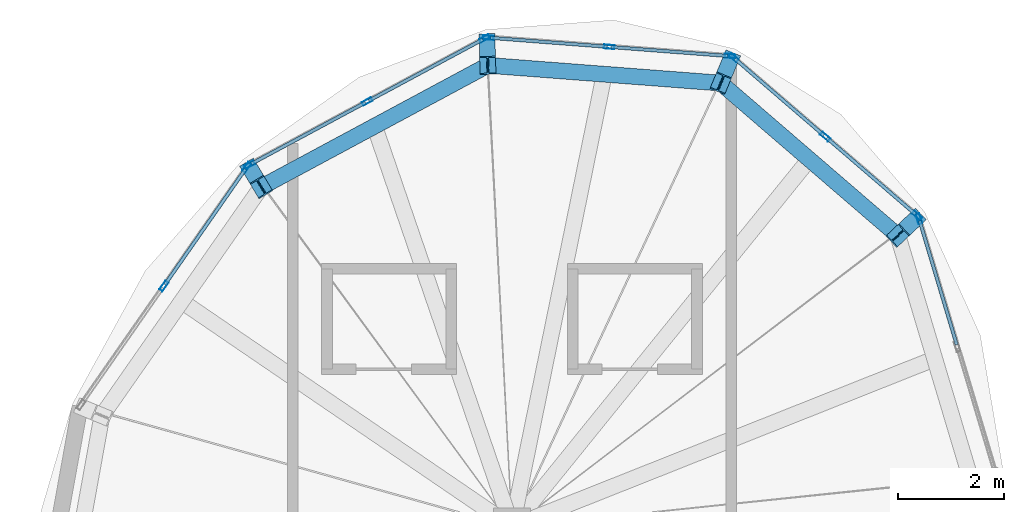
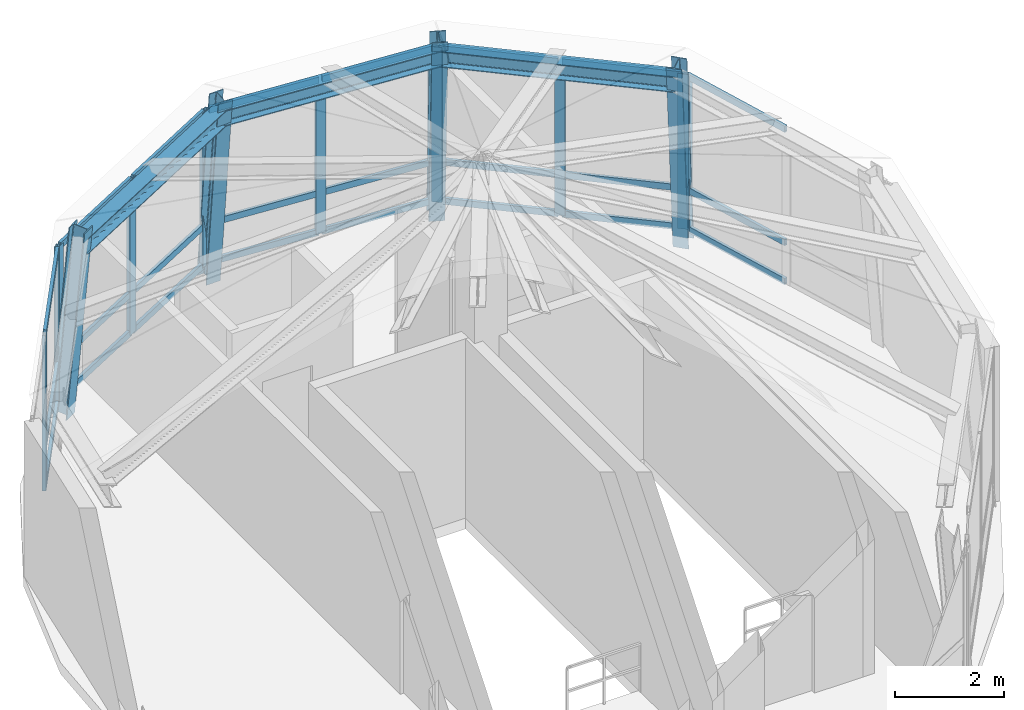
# One storey, part 5 of 8: 40 members, 3 beams, 5 elements without a shape of their own.
"""IFC4 building model written with IfcOpenShell, lengths in metres."""

import ifcopenshell
import ifcopenshell.guid

model = None  # the IFC model being written
_history = None  # IfcOwnerHistory: only IFC2X3 demands one
_inside = {}  # id of a spatial element -> (the spatial element, [elements in it])
_under = {}  # id of a project, library or spatial element -> (it, [spatial elements below it])
_declared = {}  # id of a project -> (the project, [libraries it declares])
_typed = {}  # id of a type object -> (the type object, [elements of that type])
_made_of = {}  # id of a material, layer set ... -> (it, [elements and type objects made of it])


def new_model(schema):
    """Start an empty IFC model of exactly this schema.

    Asked for "IFC4X3", IfcOpenShell would pick the latest addendum, in which some entities
    have other attributes; the version numbers below select the first issue.
    IFC2X3 requires an IfcOwnerHistory on every rooted entity: one is made here for all.
    """
    global model, _history
    if schema == "IFC4X3":
        model = ifcopenshell.file(schema_version=(4, 3, 0, 0))
    else:
        model = ifcopenshell.file(schema=schema)
    _inside.clear()
    _under.clear()
    _declared.clear()
    _typed.clear()
    _made_of.clear()
    _history = None
    if model.schema == "IFC2X3":
        org = make("IfcOrganization", Name="unknown")
        user = make(
            "IfcPersonAndOrganization",
            ThePerson=make("IfcPerson", FamilyName="unknown"),
            TheOrganization=org,
        )
        app = make(
            "IfcApplication",
            ApplicationDeveloper=org,
            Version="unknown",
            ApplicationFullName="unknown",
            ApplicationIdentifier="unknown",
        )
        _history = make(
            "IfcOwnerHistory",
            OwningUser=user,
            OwningApplication=app,
            ChangeAction="ADDED",
            CreationDate=0,
        )
    return model


def make(cls, **values):
    """One entity of the class cls with the attributes given. An attribute that is None is left unset."""
    return model.create_entity(
        cls, **{name: value for name, value in values.items() if value is not None}
    )


def rooted(cls, **values):
    """An entity with a GlobalId (a new one), such as an element, a storey or a relation."""
    return make(cls, GlobalId=ifcopenshell.guid.new(), OwnerHistory=_history, **values)


def si_unit(unit_type, name, prefix=None):
    """IfcSIUnit, for example si_unit("LENGTHUNIT", "METRE", prefix="MILLI")."""
    return make("IfcSIUnit", UnitType=unit_type, Prefix=prefix, Name=name)


def assignment(units):
    """IfcUnitAssignment: the units of a project."""
    return None if units is None else make("IfcUnitAssignment", Units=units)


def point(xyz):
    """IfcCartesianPoint."""
    return None if xyz is None else make("IfcCartesianPoint", Coordinates=xyz)


def direction(xyz):
    """IfcDirection."""
    return None if xyz is None else make("IfcDirection", DirectionRatios=xyz)


def frame(location, z_axis=None, x_axis=None):
    """IfcAxis2Placement3D, a coordinate frame: its origin and axes. An axis left out is left unset."""
    return make(
        "IfcAxis2Placement3D",
        Location=point(location),
        Axis=direction(z_axis),
        RefDirection=direction(x_axis),
    )


def frame_2d(location, x_axis=None):
    """IfcAxis2Placement2D, a coordinate frame in the plane: its origin and x axis."""
    return make(
        "IfcAxis2Placement2D", Location=point(location), RefDirection=direction(x_axis)
    )


def origin():
    """The frame at (0, 0, 0) with its axes left unset."""
    return frame((0.0, 0.0, 0.0))


def origin_2d():
    """The frame at (0, 0) in the plane with its x axis left unset."""
    return frame_2d((0.0, 0.0))


def place(relative_to, where):
    """IfcLocalPlacement: puts the frame where relative to a parent placement (None: the world)."""
    return make(
        "IfcLocalPlacement", PlacementRelTo=relative_to, RelativePlacement=where
    )


def context(
    kind, dimensions, precision=None, world=None, true_north=None, identifier=None
):
    """IfcGeometricRepresentationContext, for example the 3D "Model" context."""
    return make(
        "IfcGeometricRepresentationContext",
        ContextIdentifier=identifier,
        ContextType=kind,
        CoordinateSpaceDimension=dimensions,
        Precision=precision,
        WorldCoordinateSystem=world,
        TrueNorth=true_north,
    )


def subcontext(parent, identifier, kind, view, scale=None):
    """IfcGeometricRepresentationSubContext, for example "Body" below "Model"."""
    return make(
        "IfcGeometricRepresentationSubContext",
        ContextIdentifier=identifier,
        ContextType=kind,
        ParentContext=parent,
        TargetScale=scale,
        TargetView=view,
    )


def project(units=None, contexts=None):
    """IfcProject with its units and contexts."""
    return rooted(
        "IfcProject",
        Name="project",
        RepresentationContexts=contexts,
        UnitsInContext=assignment(units),
    )


def spatial(cls, under=None, at=None, **own):
    """A site, building, storey or space (cls), placed at a placement, below another one or the project."""
    s = rooted(cls, ObjectPlacement=at, **own)
    if under is not None:
        _under.setdefault(under.id(), (under, []))[1].append(s)
    return s


def profile(cls, at=None, kind="AREA", **sizes):
    """A parametric profile (cls). Its sizes go by their IFC names, for example OverallWidth=200.0."""
    return make(cls, ProfileType=kind, Position=at, **sizes)


def hollow_rectangle(**sizes):
    """IfcRectangleHollowProfileDef."""
    return profile("IfcRectangleHollowProfileDef", **sizes)


def i_section(**sizes):
    """IfcIShapeProfileDef."""
    return profile("IfcIShapeProfileDef", **sizes)


def extrude(swept, where, along, depth):
    """IfcExtrudedAreaSolid: the profile swept, set in the frame where, extruded along a direction by depth."""
    return make(
        "IfcExtrudedAreaSolid",
        SweptArea=swept,
        Position=where,
        ExtrudedDirection=direction(along),
        Depth=depth,
    )


def shape(context_of_items, identifier, shape_type, items):
    """IfcShapeRepresentation: the items that make up one representation, for example the "Body"."""
    return make(
        "IfcShapeRepresentation",
        ContextOfItems=context_of_items,
        RepresentationIdentifier=identifier,
        RepresentationType=shape_type,
        Items=items,
    )


def material(Name=None, Category=None):
    """IfcMaterial."""
    return make("IfcMaterial", Name=Name, Category=Category)


def layer(
    of_material, thickness, ventilated=None, Name=None, Category=None, Priority=None
):
    """IfcMaterialLayer: one layer of a wall or slab, of a material (None: an air gap)."""
    return make(
        "IfcMaterialLayer",
        Material=of_material,
        LayerThickness=thickness,
        IsVentilated=ventilated,
        Name=Name,
        Category=Category,
        Priority=Priority,
    )


def layer_set(layers, Name=None):
    """IfcMaterialLayerSet."""
    return make("IfcMaterialLayerSet", MaterialLayers=layers, LayerSetName=Name)


def material_profile(
    of_material, cross_section, Name=None, Category=None, Priority=None
):
    """IfcMaterialProfile: a cross section and its material."""
    return make(
        "IfcMaterialProfile",
        Name=Name,
        Material=of_material,
        Profile=cross_section,
        Priority=Priority,
        Category=Category,
    )


def profile_set(profiles, Name=None, composite=None):
    """IfcMaterialProfileSet."""
    return make(
        "IfcMaterialProfileSet",
        Name=Name,
        MaterialProfiles=profiles,
        CompositeProfile=composite,
    )


def made_of(thing, what):
    """Note that an element or type object is made of a material, layer set ...; save() writes the relation."""
    if what is not None:
        _made_of.setdefault(what.id(), (what, []))[1].append(thing)
    return thing


def type_object(cls, material=None, **own):
    """A type object (cls), such as IfcWallType, which elements share."""
    return made_of(rooted(cls, **own), material)


def element(
    cls,
    number,
    at=None,
    inside=None,
    cuts=None,
    type_object=None,
    material=None,
    context=None,
    identifier="Body",
    shape_type=None,
    held_by="IfcProductDefinitionShape",
    body=None,
    shapes=None,
    **own,
):
    """One element of the class cls, such as IfcWall. Its Tag is "e" and its number.

    at: its placement. inside: the storey or other place that contains it. cuts: it is an
    opening in that element (IfcRelVoidsElement). A single representation is given by context,
    identifier, shape_type and body (its items); several are given by shapes. held_by: the class
    of the entity that holds the representations. save() writes the other relations.
    """
    e = rooted(cls, Tag="e%d" % number, ObjectPlacement=at, **own)
    if body is not None:
        shapes = [shape(context, identifier, shape_type, body)]
    if shapes is not None:
        e.Representation = make(held_by, Representations=shapes)
    if inside is not None:
        _inside.setdefault(inside.id(), (inside, []))[1].append(e)
    if cuts is not None:
        rooted(
            "IfcRelVoidsElement", RelatingBuildingElement=cuts, RelatedOpeningElement=e
        )
    if type_object is not None:
        _typed.setdefault(type_object.id(), (type_object, []))[1].append(e)
    return made_of(e, material)


def aggregate(whole, parts):
    """IfcRelAggregates: a whole, such as a stair, and the parts it consists of."""
    return rooted("IfcRelAggregates", RelatingObject=whole, RelatedObjects=parts)


def save(model, path):
    """Write the relations noted so far, then the file.

    IfcRelAggregates (storeys below a building ...), IfcRelContainedInSpatialStructure (elements
    in a storey), IfcRelDefinesByType, IfcRelAssociatesMaterial and IfcRelDeclares: one each for
    every whole, place, type object, material and project.
    """
    for whole, parts in _under.values():
        aggregate(whole, parts)
    for where, things in _inside.values():
        rooted(
            "IfcRelContainedInSpatialStructure",
            RelatedElements=things,
            RelatingStructure=where,
        )
    for kind, things in _typed.values():
        rooted("IfcRelDefinesByType", RelatedObjects=things, RelatingType=kind)
    for what, things in _made_of.values():
        rooted("IfcRelAssociatesMaterial", RelatedObjects=things, RelatingMaterial=what)
    for by, libraries in _declared.values():
        rooted("IfcRelDeclares", RelatingContext=by, RelatedDefinitions=libraries)
    model.write(path)


model = new_model("IFC4")

# Units and contexts
model_context = context("Model", 3, precision=1e-05, world=origin(), true_north=direction((0.0, 1.0)))
body_context = subcontext(model_context, "Body", "Model", "MODEL_VIEW")
ifc_project = project(units=[si_unit("LENGTHUNIT", "METRE"), si_unit("AREAUNIT", "SQUARE_METRE"), si_unit("VOLUMEUNIT", "CUBIC_METRE"), si_unit("PLANEANGLEUNIT", "RADIAN"), si_unit("MASSUNIT", "GRAM", prefix="KILO"), si_unit("THERMODYNAMICTEMPERATUREUNIT", "KELVIN"), si_unit("POWERUNIT", "WATT")], contexts=[model_context])

# Site, building, storey
site_placement = place(None, origin())
site = spatial("IfcSite", under=ifc_project, at=site_placement, CompositionType="ELEMENT")
building_placement = place(site_placement, origin())
building = spatial("IfcBuilding", under=site, at=building_placement, Name="Ocrelia Relay Tower", CompositionType="ELEMENT")
storey_placement = place(building_placement, frame((0.0, 0.0, 308.0)))
storey = spatial("IfcBuildingStorey", under=building, at=storey_placement, Name="L77", CompositionType="ELEMENT", Elevation=308.0)

# Beams
ifc_material_1 = material(Name="Steel S355", Category="steel")
ifc_material_profile_1 = material_profile(ifc_material_1, i_section(OverallWidth=0.300048828125, OverallDepth=0.35009765625, WebThickness=0.010009765625, FlangeThickness=0.017578125, FilletRadius=0.027099609375, at=origin_2d()), Name="HEA 360")
ifc_profile_set_1 = profile_set([ifc_material_profile_1], Name="Steel S355")
beam_type = type_object("IfcBeamType", Name="BM-HEA360", PredefinedType="SPANDREL", material=ifc_profile_set_1)
beam_1_placement = place(storey_placement, frame((37.949951171875, 35.512451171875, 3.64501953125), z_axis=(-0.997104301591, 0.07604611594, 0.0), x_axis=(-0.07604611594, -0.997104301591, 0.0)))
element("IfcBeam", 1, at=beam_1_placement, inside=storey, type_object=beam_type, Name="L77 Crown Faceted Ring Beam R01", PredefinedType="SPANDREL", context=body_context, shape_type="SweptSolid", body=[
    extrude(i_section(OverallWidth=0.300048828125, OverallDepth=0.35009765625, WebThickness=0.010009765625, FlangeThickness=0.017578125, FilletRadius=0.027099609375, at=origin_2d()), origin(), (0.0, 0.0, 1.0), 4.420654296875),
])
beam_2_placement = place(storey_placement, frame((33.5419921875, 35.8486328125, 3.64501953125), z_axis=(-0.880881680391, -0.47333652421, 0.0), x_axis=(0.47333652421, -0.880881680391, 0.0)))
element("IfcBeam", 2, at=beam_2_placement, inside=storey, type_object=beam_type, Name="L77 Crown Faceted Ring Beam R02", PredefinedType="SPANDREL", context=body_context, shape_type="SweptSolid", body=[
    extrude(i_section(OverallWidth=0.300048828125, OverallDepth=0.35009765625, WebThickness=0.010009765625, FlangeThickness=0.017578125, FilletRadius=0.027099609375, at=origin_2d()), origin(), (0.0, 0.0, 1.0), 4.864990234375),
])
beam_3_placement = place(storey_placement, frame((41.299560546875, 32.62744140625, 3.64501953125), z_axis=(-0.757699013263, 0.652604171992, 0.0), x_axis=(-0.652604171992, -0.757699013263, 0.0)))
element("IfcBeam", 3, at=beam_3_placement, inside=storey, type_object=beam_type, Name="L77 Crown Faceted Ring Beam R12", PredefinedType="SPANDREL", context=body_context, shape_type="SweptSolid", body=[
    extrude(i_section(OverallWidth=0.300048828125, OverallDepth=0.35009765625, WebThickness=0.010009765625, FlangeThickness=0.017578125, FilletRadius=0.027099609375, at=origin_2d()), origin(), (0.0, 0.0, 1.0), 4.420654296875),
])

# Curtain wall, members
ifc_material_2 = material(Name="Aluminium and solar-control low-E glass", Category="aluminium")
ifc_layer = layer(ifc_material_2, 0.179931640625, Name="Aluminium and solar-control low-E glass")
ifc_layer_set = layer_set([ifc_layer], Name="Aluminium and solar-control low-E glass")
curtain_wall_type = type_object("IfcCurtainWallType", Name="CW-SYS-CROWN-PT", PredefinedType="NOTDEFINED", material=ifc_layer_set)
curtain_wall_1_placement = place(storey_placement, origin())
curtain_wall_1 = element("IfcCurtainWall", 4, at=curtain_wall_1_placement, inside=storey, type_object=curtain_wall_type, Name="L77 Faceted Glass-Point Crown Curtain Wall 01", PredefinedType="NOTDEFINED")
ifc_material_3 = material(Name="Anodised bronze aluminium", Category="aluminium")
ifc_material_profile_2 = material_profile(ifc_material_3, hollow_rectangle(XDim=0.074951171875, YDim=0.199951171875, WallThickness=0.006103515625, at=origin_2d()), Name="CW-MUL-200x75")
ifc_profile_set_2 = profile_set([ifc_material_profile_2], Name="Anodised bronze aluminium")
member_type_1 = type_object("IfcMemberType", Name="CW-SYS-CROWN-PT-MUL", PredefinedType="MULLION", material=ifc_profile_set_2)
member_1_placement = place(storey_placement, frame((38.12353515625, 36.0234375, 0.0), z_axis=(0.0, 0.0, 1.0), x_axis=(-0.076089015245, -0.997101028863, 0.0)))
member_1 = element("IfcMember", 5, at=member_1_placement, type_object=member_type_1, Name="CW-CR mullion 1", PredefinedType="MULLION", context=body_context, shape_type="SweptSolid", body=[
    extrude(hollow_rectangle(XDim=0.074951171875, YDim=0.199951171875, WallThickness=0.006103515625, at=origin_2d()), origin(), (0.0, 0.0, 1.0), 3.4599609375),
])
member_2_placement = place(storey_placement, frame((35.8388671875, 36.19775390625, 0.0), z_axis=(0.0, 0.0, 1.0), x_axis=(-0.076089015245, -0.997101028863, 0.0)))
member_2 = element("IfcMember", 6, at=member_2_placement, type_object=member_type_1, Name="CW-CR mullion 2", PredefinedType="MULLION", context=body_context, shape_type="SweptSolid", body=[
    extrude(hollow_rectangle(XDim=0.074951171875, YDim=0.199951171875, WallThickness=0.006103515625, at=origin_2d()), origin(), (0.0, 0.0, 1.0), 3.4599609375),
])
member_3_placement = place(storey_placement, frame((33.55419921875, 36.3720703125, 0.0), z_axis=(0.0, 0.0, 1.0), x_axis=(-0.076089015245, -0.997101028863, 0.0)))
member_3 = element("IfcMember", 7, at=member_3_placement, type_object=member_type_1, Name="CW-CR mullion 3", PredefinedType="MULLION", context=body_context, shape_type="SweptSolid", body=[
    extrude(hollow_rectangle(XDim=0.074951171875, YDim=0.199951171875, WallThickness=0.006103515625, at=origin_2d()), origin(), (0.0, 0.0, 1.0), 3.4599609375),
])

curtain_wall_2_placement = place(storey_placement, origin())
curtain_wall_2 = element("IfcCurtainWall", 8, at=curtain_wall_2_placement, inside=storey, type_object=curtain_wall_type, Name="L77 Faceted Glass-Point Crown Curtain Wall 02", PredefinedType="NOTDEFINED")
member_4_placement = place(storey_placement, frame((33.483642578125, 36.357177734375, 0.0), z_axis=(0.0, 0.0, 1.0), x_axis=(0.473276956147, -0.880913686339, 0.0)))
member_4 = element("IfcMember", 9, at=member_4_placement, type_object=member_type_1, Name="CW-CR mullion 1", PredefinedType="MULLION", context=body_context, shape_type="SweptSolid", body=[
    extrude(hollow_rectangle(XDim=0.074951171875, YDim=0.199951171875, WallThickness=0.006103515625, at=origin_2d()), origin(), (0.0, 0.0, 1.0), 3.4599609375),
])
member_5_placement = place(storey_placement, frame((31.259521484375, 35.162109375, 0.0), z_axis=(0.0, 0.0, 1.0), x_axis=(0.473276956147, -0.880913686339, 0.0)))
member_5 = element("IfcMember", 10, at=member_5_placement, type_object=member_type_1, Name="CW-CR mullion 2", PredefinedType="MULLION", context=body_context, shape_type="SweptSolid", body=[
    extrude(hollow_rectangle(XDim=0.074951171875, YDim=0.199951171875, WallThickness=0.006103515625, at=origin_2d()), origin(), (0.0, 0.0, 1.0), 3.4599609375),
])
member_6_placement = place(storey_placement, frame((29.03515625, 33.967041015625, 0.0), z_axis=(0.0, 0.0, 1.0), x_axis=(0.473276956147, -0.880913686339, 0.0)))
member_6 = element("IfcMember", 11, at=member_6_placement, type_object=member_type_1, Name="CW-CR mullion 3", PredefinedType="MULLION", context=body_context, shape_type="SweptSolid", body=[
    extrude(hollow_rectangle(XDim=0.074951171875, YDim=0.199951171875, WallThickness=0.006103515625, at=origin_2d()), origin(), (0.0, 0.0, 1.0), 3.4599609375),
])

curtain_wall_3_placement = place(storey_placement, origin())
curtain_wall_3 = element("IfcCurtainWall", 12, at=curtain_wall_3_placement, inside=storey, type_object=curtain_wall_type, Name="L77 Faceted Glass-Point Crown Curtain Wall 03", PredefinedType="NOTDEFINED")
member_7_placement = place(storey_placement, frame((28.980712890625, 33.918701171875, 0.0), z_axis=(0.0, 0.0, 1.0), x_axis=(0.820359766899, -0.571847753211, 0.0)))
member_7 = element("IfcMember", 13, at=member_7_placement, type_object=member_type_1, Name="CW-CR mullion 1", PredefinedType="MULLION", context=body_context, shape_type="SweptSolid", body=[
    extrude(hollow_rectangle(XDim=0.074951171875, YDim=0.199951171875, WallThickness=0.006103515625, at=origin_2d()), origin(), (0.0, 0.0, 1.0), 3.4599609375),
])
member_8_placement = place(storey_placement, frame((27.414306640625, 31.671630859375, 0.0), z_axis=(0.0, 0.0, 1.0), x_axis=(0.820359766899, -0.571847753211, 0.0)))
member_8 = element("IfcMember", 14, at=member_8_placement, type_object=member_type_1, Name="CW-CR mullion 2", PredefinedType="MULLION", context=body_context, shape_type="SweptSolid", body=[
    extrude(hollow_rectangle(XDim=0.074951171875, YDim=0.199951171875, WallThickness=0.006103515625, at=origin_2d()), origin(), (0.0, 0.0, 1.0), 3.4599609375),
])

# Curtain wall, member
curtain_wall_4_placement = place(storey_placement, origin())
curtain_wall_4 = element("IfcCurtainWall", 15, at=curtain_wall_4_placement, inside=storey, type_object=curtain_wall_type, Name="L77 Faceted Glass-Point Crown Curtain Wall 11", PredefinedType="NOTDEFINED")
member_9_placement = place(storey_placement, frame((41.700927734375, 32.945068359375, 0.0), z_axis=(0.0, 0.0, 1.0), x_axis=(-0.958056902015, -0.286578039111, 0.0)))
member_9 = element("IfcMember", 16, at=member_9_placement, type_object=member_type_1, Name="CW-CR mullion 3", PredefinedType="MULLION", context=body_context, shape_type="SweptSolid", body=[
    extrude(hollow_rectangle(XDim=0.074951171875, YDim=0.199951171875, WallThickness=0.006103515625, at=origin_2d()), origin(), (0.0, 0.0, 1.0), 3.4599609375),
])

# Curtain wall, members
curtain_wall_5_placement = place(storey_placement, origin())
curtain_wall_5 = element("IfcCurtainWall", 17, at=curtain_wall_5_placement, inside=storey, type_object=curtain_wall_type, Name="L77 Faceted Glass-Point Crown Curtain Wall 12", PredefinedType="NOTDEFINED")
member_10_placement = place(storey_placement, frame((41.66162109375, 33.00537109375, 0.0), z_axis=(0.0, 0.0, 1.0), x_axis=(-0.652580665849, -0.757719258407, 0.0)))
member_10 = element("IfcMember", 18, at=member_10_placement, type_object=member_type_1, Name="CW-CR mullion 1", PredefinedType="MULLION", context=body_context, shape_type="SweptSolid", body=[
    extrude(hollow_rectangle(XDim=0.074951171875, YDim=0.199951171875, WallThickness=0.006103515625, at=origin_2d()), origin(), (0.0, 0.0, 1.0), 3.4599609375),
])
member_11_placement = place(storey_placement, frame((39.925537109375, 34.500732421875, 0.0), z_axis=(0.0, 0.0, 1.0), x_axis=(-0.652580665849, -0.757719258407, 0.0)))
member_11 = element("IfcMember", 19, at=member_11_placement, type_object=member_type_1, Name="CW-CR mullion 2", PredefinedType="MULLION", context=body_context, shape_type="SweptSolid", body=[
    extrude(hollow_rectangle(XDim=0.074951171875, YDim=0.199951171875, WallThickness=0.006103515625, at=origin_2d()), origin(), (0.0, 0.0, 1.0), 3.4599609375),
])
member_12_placement = place(storey_placement, frame((38.189208984375, 35.99609375, 0.0), z_axis=(0.0, 0.0, 1.0), x_axis=(-0.652580665849, -0.757719258407, 0.0)))
member_12 = element("IfcMember", 20, at=member_12_placement, type_object=member_type_1, Name="CW-CR mullion 3", PredefinedType="MULLION", context=body_context, shape_type="SweptSolid", body=[
    extrude(hollow_rectangle(XDim=0.074951171875, YDim=0.199951171875, WallThickness=0.006103515625, at=origin_2d()), origin(), (0.0, 0.0, 1.0), 3.4599609375),
])

# Member
ifc_material_profile_3 = material_profile(ifc_material_3, hollow_rectangle(XDim=0.06494140625, YDim=0.139892578125, WallThickness=0.0048828125, at=origin_2d()), Name="CW-TRN-140x65")
ifc_profile_set_3 = profile_set([ifc_material_profile_3], Name="Anodised bronze aluminium")
member_type_2 = type_object("IfcMemberType", Name="CW-SYS-CROWN-PT-TRN", PredefinedType="USERDEFINED", material=ifc_profile_set_3)
member_13_placement = place(storey_placement, frame((38.086181640625, 36.026123046875, 0.032470703125), z_axis=(-0.99709902499, 0.076115270246, 0.0), x_axis=(-0.076115270246, -0.99709902499, 0.0)))
member_13 = element("IfcMember", 21, at=member_13_placement, type_object=member_type_2, Name="CW-CR transom 1.1", ObjectType="TRANSOM", PredefinedType="USERDEFINED", context=body_context, shape_type="SweptSolid", body=[
    extrude(hollow_rectangle(XDim=0.06494140625, YDim=0.139892578125, WallThickness=0.0048828125, at=origin_2d()), origin(), (0.0, 0.0, 1.0), 2.21630859375),
])

member_14_placement = place(storey_placement, frame((38.086181640625, 36.026123046875, 0.89990234375), z_axis=(-0.99709902499, 0.076115270246, 0.0), x_axis=(-0.076115270246, -0.99709902499, 0.0)))
member_14 = element("IfcMember", 22, at=member_14_placement, type_object=member_type_2, Name="CW-CR transom 1.2", ObjectType="TRANSOM", PredefinedType="USERDEFINED", context=body_context, shape_type="SweptSolid", body=[
    extrude(hollow_rectangle(XDim=0.06494140625, YDim=0.139892578125, WallThickness=0.0048828125, at=origin_2d()), origin(), (0.0, 0.0, 1.0), 2.21630859375),
])

member_15_placement = place(storey_placement, frame((38.086181640625, 36.026123046875, 3.427490234375), z_axis=(-0.99709902499, 0.076115270246, 0.0), x_axis=(-0.076115270246, -0.99709902499, 0.0)))
member_15 = element("IfcMember", 23, at=member_15_placement, type_object=member_type_2, Name="CW-CR transom 1.3", ObjectType="TRANSOM", PredefinedType="USERDEFINED", context=body_context, shape_type="SweptSolid", body=[
    extrude(hollow_rectangle(XDim=0.06494140625, YDim=0.139892578125, WallThickness=0.0048828125, at=origin_2d()), origin(), (0.0, 0.0, 1.0), 2.21630859375),
])

member_16_placement = place(storey_placement, frame((35.801513671875, 36.200439453125, 0.032470703125), z_axis=(-0.99709902499, 0.076115270246, 0.0), x_axis=(-0.076115270246, -0.99709902499, 0.0)))
member_16 = element("IfcMember", 24, at=member_16_placement, type_object=member_type_2, Name="CW-CR transom 2.1", ObjectType="TRANSOM", PredefinedType="USERDEFINED", context=body_context, shape_type="SweptSolid", body=[
    extrude(hollow_rectangle(XDim=0.06494140625, YDim=0.139892578125, WallThickness=0.0048828125, at=origin_2d()), origin(), (0.0, 0.0, 1.0), 2.21630859375),
])

member_17_placement = place(storey_placement, frame((35.801513671875, 36.200439453125, 0.89990234375), z_axis=(-0.99709902499, 0.076115270246, 0.0), x_axis=(-0.076115270246, -0.99709902499, 0.0)))
member_17 = element("IfcMember", 25, at=member_17_placement, type_object=member_type_2, Name="CW-CR transom 2.2", ObjectType="TRANSOM", PredefinedType="USERDEFINED", context=body_context, shape_type="SweptSolid", body=[
    extrude(hollow_rectangle(XDim=0.06494140625, YDim=0.139892578125, WallThickness=0.0048828125, at=origin_2d()), origin(), (0.0, 0.0, 1.0), 2.21630859375),
])

member_18_placement = place(storey_placement, frame((35.801513671875, 36.200439453125, 3.427490234375), z_axis=(-0.99709902499, 0.076115270246, 0.0), x_axis=(-0.076115270246, -0.99709902499, 0.0)))
member_18 = element("IfcMember", 26, at=member_18_placement, type_object=member_type_2, Name="CW-CR transom 2.3", ObjectType="TRANSOM", PredefinedType="USERDEFINED", context=body_context, shape_type="SweptSolid", body=[
    extrude(hollow_rectangle(XDim=0.06494140625, YDim=0.139892578125, WallThickness=0.0048828125, at=origin_2d()), origin(), (0.0, 0.0, 1.0), 2.21630859375),
])

aggregate(curtain_wall_1, [member_1, member_2, member_3, member_13, member_14, member_15, member_16, member_17, member_18])

member_19_placement = place(storey_placement, frame((33.45068359375, 36.33935546875, 0.032470703125), z_axis=(-0.880928268603, -0.473249813076, 0.0), x_axis=(0.473249813076, -0.880928268603, 0.0)))
member_19 = element("IfcMember", 27, at=member_19_placement, type_object=member_type_2, Name="CW-CR transom 1.1", ObjectType="TRANSOM", PredefinedType="USERDEFINED", context=body_context, shape_type="SweptSolid", body=[
    extrude(hollow_rectangle(XDim=0.06494140625, YDim=0.139892578125, WallThickness=0.0048828125, at=origin_2d()), origin(), (0.0, 0.0, 1.0), 2.449951171875),
])

member_20_placement = place(storey_placement, frame((33.45068359375, 36.33935546875, 0.89990234375), z_axis=(-0.880928268603, -0.473249813076, 0.0), x_axis=(0.473249813076, -0.880928268603, 0.0)))
member_20 = element("IfcMember", 28, at=member_20_placement, type_object=member_type_2, Name="CW-CR transom 1.2", ObjectType="TRANSOM", PredefinedType="USERDEFINED", context=body_context, shape_type="SweptSolid", body=[
    extrude(hollow_rectangle(XDim=0.06494140625, YDim=0.139892578125, WallThickness=0.0048828125, at=origin_2d()), origin(), (0.0, 0.0, 1.0), 2.449951171875),
])

member_21_placement = place(storey_placement, frame((33.45068359375, 36.33935546875, 3.427490234375), z_axis=(-0.880928268603, -0.473249813076, 0.0), x_axis=(0.473249813076, -0.880928268603, 0.0)))
member_21 = element("IfcMember", 29, at=member_21_placement, type_object=member_type_2, Name="CW-CR transom 1.3", ObjectType="TRANSOM", PredefinedType="USERDEFINED", context=body_context, shape_type="SweptSolid", body=[
    extrude(hollow_rectangle(XDim=0.06494140625, YDim=0.139892578125, WallThickness=0.0048828125, at=origin_2d()), origin(), (0.0, 0.0, 1.0), 2.449951171875),
])

member_22_placement = place(storey_placement, frame((31.226318359375, 35.144287109375, 0.032470703125), z_axis=(-0.880928268603, -0.473249813076, 0.0), x_axis=(0.473249813076, -0.880928268603, 0.0)))
member_22 = element("IfcMember", 30, at=member_22_placement, type_object=member_type_2, Name="CW-CR transom 2.1", ObjectType="TRANSOM", PredefinedType="USERDEFINED", context=body_context, shape_type="SweptSolid", body=[
    extrude(hollow_rectangle(XDim=0.06494140625, YDim=0.139892578125, WallThickness=0.0048828125, at=origin_2d()), origin(), (0.0, 0.0, 1.0), 2.449951171875),
])

member_23_placement = place(storey_placement, frame((31.226318359375, 35.144287109375, 0.89990234375), z_axis=(-0.880928268603, -0.473249813076, 0.0), x_axis=(0.473249813076, -0.880928268603, 0.0)))
member_23 = element("IfcMember", 31, at=member_23_placement, type_object=member_type_2, Name="CW-CR transom 2.2", ObjectType="TRANSOM", PredefinedType="USERDEFINED", context=body_context, shape_type="SweptSolid", body=[
    extrude(hollow_rectangle(XDim=0.06494140625, YDim=0.139892578125, WallThickness=0.0048828125, at=origin_2d()), origin(), (0.0, 0.0, 1.0), 2.449951171875),
])

member_24_placement = place(storey_placement, frame((31.226318359375, 35.144287109375, 3.427490234375), z_axis=(-0.880928268603, -0.473249813076, 0.0), x_axis=(0.473249813076, -0.880928268603, 0.0)))
member_24 = element("IfcMember", 32, at=member_24_placement, type_object=member_type_2, Name="CW-CR transom 2.3", ObjectType="TRANSOM", PredefinedType="USERDEFINED", context=body_context, shape_type="SweptSolid", body=[
    extrude(hollow_rectangle(XDim=0.06494140625, YDim=0.139892578125, WallThickness=0.0048828125, at=origin_2d()), origin(), (0.0, 0.0, 1.0), 2.449951171875),
])

aggregate(curtain_wall_2, [member_4, member_5, member_6, member_19, member_20, member_21, member_22, member_23, member_24])

member_25_placement = place(storey_placement, frame((28.959228515625, 33.887939453125, 0.032470703125), z_axis=(-0.571837518298, -0.82036690125, 0.0), x_axis=(0.82036690125, -0.571837518298, 0.0)))
member_25 = element("IfcMember", 33, at=member_25_placement, type_object=member_type_2, Name="CW-CR transom 1.1", ObjectType="TRANSOM", PredefinedType="USERDEFINED", context=body_context, shape_type="SweptSolid", body=[
    extrude(hollow_rectangle(XDim=0.06494140625, YDim=0.139892578125, WallThickness=0.0048828125, at=origin_2d()), origin(), (0.0, 0.0, 1.0), 2.6640625),
])

member_26_placement = place(storey_placement, frame((28.959228515625, 33.887939453125, 0.89990234375), z_axis=(-0.571837518298, -0.82036690125, 0.0), x_axis=(0.82036690125, -0.571837518298, 0.0)))
member_26 = element("IfcMember", 34, at=member_26_placement, type_object=member_type_2, Name="CW-CR transom 1.2", ObjectType="TRANSOM", PredefinedType="USERDEFINED", context=body_context, shape_type="SweptSolid", body=[
    extrude(hollow_rectangle(XDim=0.06494140625, YDim=0.139892578125, WallThickness=0.0048828125, at=origin_2d()), origin(), (0.0, 0.0, 1.0), 2.6640625),
])

member_27_placement = place(storey_placement, frame((28.959228515625, 33.887939453125, 3.427490234375), z_axis=(-0.571837518298, -0.82036690125, 0.0), x_axis=(0.82036690125, -0.571837518298, 0.0)))
member_27 = element("IfcMember", 35, at=member_27_placement, type_object=member_type_2, Name="CW-CR transom 1.3", ObjectType="TRANSOM", PredefinedType="USERDEFINED", context=body_context, shape_type="SweptSolid", body=[
    extrude(hollow_rectangle(XDim=0.06494140625, YDim=0.139892578125, WallThickness=0.0048828125, at=origin_2d()), origin(), (0.0, 0.0, 1.0), 2.6640625),
])

aggregate(curtain_wall_3, [member_7, member_8, member_25, member_26, member_27])

member_28_placement = place(storey_placement, frame((42.413818359375, 30.56201171875, 0.032470703125), z_axis=(-0.286598124644, 0.958050893716, 0.0), x_axis=(-0.958050893716, -0.286598124644, 0.0)))
member_28 = element("IfcMember", 36, at=member_28_placement, type_object=member_type_2, Name="CW-CR transom 2.1", ObjectType="TRANSOM", PredefinedType="USERDEFINED", context=body_context, shape_type="SweptSolid", body=[
    extrude(hollow_rectangle(XDim=0.06494140625, YDim=0.139892578125, WallThickness=0.0048828125, at=origin_2d()), origin(), (0.0, 0.0, 1.0), 2.449951171875),
])

member_29_placement = place(storey_placement, frame((42.413818359375, 30.56201171875, 0.89990234375), z_axis=(-0.286598124644, 0.958050893716, 0.0), x_axis=(-0.958050893716, -0.286598124644, 0.0)))
member_29 = element("IfcMember", 37, at=member_29_placement, type_object=member_type_2, Name="CW-CR transom 2.2", ObjectType="TRANSOM", PredefinedType="USERDEFINED", context=body_context, shape_type="SweptSolid", body=[
    extrude(hollow_rectangle(XDim=0.06494140625, YDim=0.139892578125, WallThickness=0.0048828125, at=origin_2d()), origin(), (0.0, 0.0, 1.0), 2.449951171875),
])

member_30_placement = place(storey_placement, frame((42.413818359375, 30.56201171875, 3.427490234375), z_axis=(-0.286598124644, 0.958050893716, 0.0), x_axis=(-0.958050893716, -0.286598124644, 0.0)))
member_30 = element("IfcMember", 38, at=member_30_placement, type_object=member_type_2, Name="CW-CR transom 2.3", ObjectType="TRANSOM", PredefinedType="USERDEFINED", context=body_context, shape_type="SweptSolid", body=[
    extrude(hollow_rectangle(XDim=0.06494140625, YDim=0.139892578125, WallThickness=0.0048828125, at=origin_2d()), origin(), (0.0, 0.0, 1.0), 2.449951171875),
])

aggregate(curtain_wall_4, [member_9, member_28, member_29, member_30])

member_31_placement = place(storey_placement, frame((41.63330078125, 33.030029296875, 0.032470703125), z_axis=(-0.757746107438, 0.652549489819, 0.0), x_axis=(-0.652549489819, -0.757746107438, 0.0)))
member_31 = element("IfcMember", 39, at=member_31_placement, type_object=member_type_2, Name="CW-CR transom 1.1", ObjectType="TRANSOM", PredefinedType="USERDEFINED", context=body_context, shape_type="SweptSolid", body=[
    extrude(hollow_rectangle(XDim=0.06494140625, YDim=0.139892578125, WallThickness=0.0048828125, at=origin_2d()), origin(), (0.0, 0.0, 1.0), 2.21630859375),
])

member_32_placement = place(storey_placement, frame((41.63330078125, 33.030029296875, 0.89990234375), z_axis=(-0.757746107438, 0.652549489819, 0.0), x_axis=(-0.652549489819, -0.757746107438, 0.0)))
member_32 = element("IfcMember", 40, at=member_32_placement, type_object=member_type_2, Name="CW-CR transom 1.2", ObjectType="TRANSOM", PredefinedType="USERDEFINED", context=body_context, shape_type="SweptSolid", body=[
    extrude(hollow_rectangle(XDim=0.06494140625, YDim=0.139892578125, WallThickness=0.0048828125, at=origin_2d()), origin(), (0.0, 0.0, 1.0), 2.21630859375),
])

member_33_placement = place(storey_placement, frame((41.63330078125, 33.030029296875, 3.427490234375), z_axis=(-0.757746107438, 0.652549489819, 0.0), x_axis=(-0.652549489819, -0.757746107438, 0.0)))
member_33 = element("IfcMember", 41, at=member_33_placement, type_object=member_type_2, Name="CW-CR transom 1.3", ObjectType="TRANSOM", PredefinedType="USERDEFINED", context=body_context, shape_type="SweptSolid", body=[
    extrude(hollow_rectangle(XDim=0.06494140625, YDim=0.139892578125, WallThickness=0.0048828125, at=origin_2d()), origin(), (0.0, 0.0, 1.0), 2.21630859375),
])

member_34_placement = place(storey_placement, frame((39.89697265625, 34.525146484375, 0.032470703125), z_axis=(-0.757699195898, 0.652603959945, 0.0), x_axis=(-0.652603959945, -0.757699195898, 0.0)))
member_34 = element("IfcMember", 42, at=member_34_placement, type_object=member_type_2, Name="CW-CR transom 2.1", ObjectType="TRANSOM", PredefinedType="USERDEFINED", context=body_context, shape_type="SweptSolid", body=[
    extrude(hollow_rectangle(XDim=0.06494140625, YDim=0.139892578125, WallThickness=0.0048828125, at=origin_2d()), origin(), (0.0, 0.0, 1.0), 2.216064453125),
])

member_35_placement = place(storey_placement, frame((39.89697265625, 34.525146484375, 0.89990234375), z_axis=(-0.757699195898, 0.652603959945, 0.0), x_axis=(-0.652603959945, -0.757699195898, 0.0)))
member_35 = element("IfcMember", 43, at=member_35_placement, type_object=member_type_2, Name="CW-CR transom 2.2", ObjectType="TRANSOM", PredefinedType="USERDEFINED", context=body_context, shape_type="SweptSolid", body=[
    extrude(hollow_rectangle(XDim=0.06494140625, YDim=0.139892578125, WallThickness=0.0048828125, at=origin_2d()), origin(), (0.0, 0.0, 1.0), 2.216064453125),
])

member_36_placement = place(storey_placement, frame((39.89697265625, 34.525146484375, 3.427490234375), z_axis=(-0.757699195898, 0.652603959945, 0.0), x_axis=(-0.652603959945, -0.757699195898, 0.0)))
member_36 = element("IfcMember", 44, at=member_36_placement, type_object=member_type_2, Name="CW-CR transom 2.3", ObjectType="TRANSOM", PredefinedType="USERDEFINED", context=body_context, shape_type="SweptSolid", body=[
    extrude(hollow_rectangle(XDim=0.06494140625, YDim=0.139892578125, WallThickness=0.0048828125, at=origin_2d()), origin(), (0.0, 0.0, 1.0), 2.216064453125),
])

aggregate(curtain_wall_5, [member_10, member_11, member_12, member_31, member_32, member_33, member_34, member_35, member_36])

# Members
ifc_material_profile_4 = material_profile(ifc_material_1, i_section(OverallWidth=0.300048828125, OverallDepth=0.340087890625, WebThickness=0.011962890625, FlangeThickness=0.021484375, FilletRadius=0.027099609375, at=origin_2d()), Name="HEB 340")
ifc_profile_set_4 = profile_set([ifc_material_profile_4], Name="Steel S355")
member_type_3 = type_object("IfcMemberType", Name="MB-CROWN-RIB", PredefinedType="STRUT", material=ifc_profile_set_4)
member_37_placement = place(storey_placement, frame((38.12255859375, 35.927978515625, -0.25), z_axis=(-0.03996997727, -0.096221925479, 0.994557058179), x_axis=(0.923493759, -0.383613447481, 0.0)))
element("IfcMember", 45, at=member_37_placement, inside=storey, type_object=member_type_3, Name="L77 Crown Faceted Structural Strut Rib CR01", PredefinedType="STRUT", context=body_context, shape_type="SweptSolid", body=[
    extrude(i_section(OverallWidth=0.300048828125, OverallDepth=0.340087890625, WebThickness=0.011962890625, FlangeThickness=0.021484375, FilletRadius=0.027099609375, at=origin_2d()), origin(), (0.0, 0.0, 1.0), 4.318359375),
])
member_38_placement = place(storey_placement, frame((33.52978515625, 36.27587890625, -0.25), z_axis=(0.00282552677, -0.098893436957, 0.995094017933), x_axis=(0.999592086461, 0.028559773899, 0.0)))
element("IfcMember", 46, at=member_38_placement, inside=storey, type_object=member_type_3, Name="L77 Crown Faceted Structural Strut Rib CR02", PredefinedType="STRUT", context=body_context, shape_type="SweptSolid", body=[
    extrude(i_section(OverallWidth=0.300048828125, OverallDepth=0.340087890625, WebThickness=0.011962890625, FlangeThickness=0.021484375, FilletRadius=0.027099609375, at=origin_2d()), origin(), (0.0, 0.0, 1.0), 4.3203125),
])
member_39_placement = place(storey_placement, frame((29.06298828125, 33.8701171875, -0.25), z_axis=(0.044942102089, -0.075262435781, 0.996150477197), x_axis=(0.85857489006, 0.512688168537, 0.0)))
element("IfcMember", 47, at=member_39_placement, inside=storey, type_object=member_type_3, Name="L77 Crown Faceted Structural Strut Rib CR03", PredefinedType="STRUT", context=body_context, shape_type="SweptSolid", body=[
    extrude(i_section(OverallWidth=0.300048828125, OverallDepth=0.340087890625, WebThickness=0.011962890625, FlangeThickness=0.021484375, FilletRadius=0.027099609375, at=origin_2d()), origin(), (0.0, 0.0, 1.0), 4.307861328125),
])
member_40_placement = place(storey_placement, frame((41.610595703125, 32.920166015625, -0.25), z_axis=(-0.07225495862, -0.068001330758, 0.995065344573), x_axis=(0.685346869115, -0.728216773354, 0.0)))
element("IfcMember", 48, at=member_40_placement, inside=storey, type_object=member_type_3, Name="L77 Crown Faceted Structural Strut Rib CR12", PredefinedType="STRUT", context=body_context, shape_type="SweptSolid", body=[
    extrude(i_section(OverallWidth=0.300048828125, OverallDepth=0.340087890625, WebThickness=0.011962890625, FlangeThickness=0.021484375, FilletRadius=0.027099609375, at=origin_2d()), origin(), (0.0, 0.0, 1.0), 4.3046875),
])

save(model, "model.ifc")
